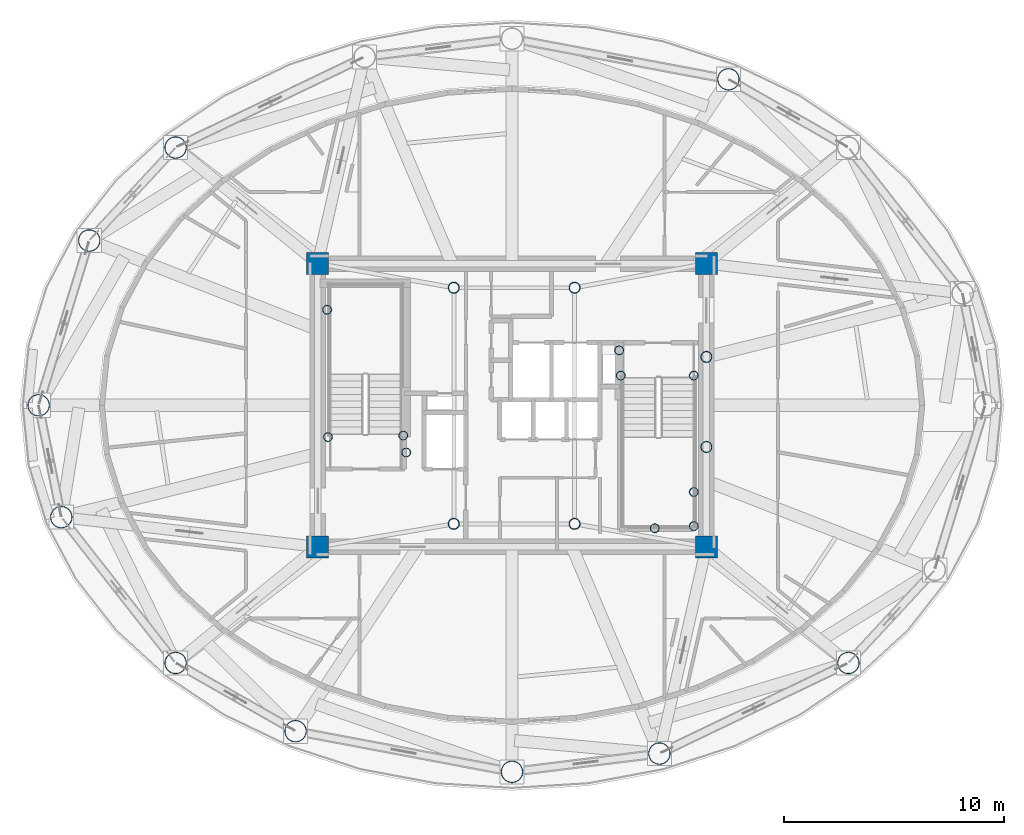
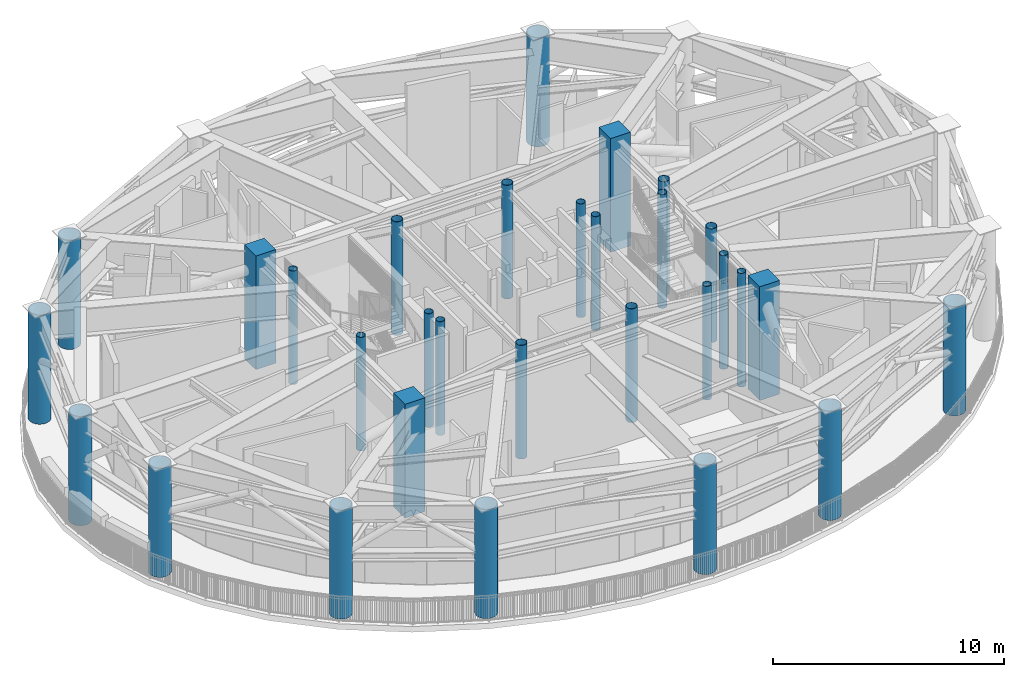
# One storey, part 1 of 17: 30 columns.
"""IFC4 building model written with IfcOpenShell, lengths in metres."""

from ifc_helpers import new_model, si_unit, direction, frame, origin, origin_2d, place, context, subcontext, project, spatial, rectangle, hollow_circle, extrude, material, material_profile, profile_set, type_object, element, save


model = new_model("IFC4")

# Units and contexts
model_context = context("Model", 3, precision=1e-05, world=origin(), true_north=direction((0.0, 1.0)))
body_context = subcontext(model_context, "Body", "Model", "MODEL_VIEW")
ifc_project = project(units=[si_unit("LENGTHUNIT", "METRE"), si_unit("AREAUNIT", "SQUARE_METRE"), si_unit("VOLUMEUNIT", "CUBIC_METRE"), si_unit("PLANEANGLEUNIT", "RADIAN"), si_unit("MASSUNIT", "GRAM", prefix="KILO")], contexts=[model_context])

# Site, building, storey
site_placement = place(None, origin())
site = spatial("IfcSite", under=ifc_project, at=site_placement, CompositionType="ELEMENT")
building_placement = place(site_placement, origin())
building = spatial("IfcBuilding", under=site, at=building_placement, Name="Linh Dai School and Residence Tower", CompositionType="ELEMENT")
storey_placement = place(building_placement, frame((0.0, 0.0, 318.0)))
storey = spatial("IfcBuildingStorey", under=building, at=storey_placement, Name="L79", CompositionType="ELEMENT", Elevation=318.0)

# Columns
ifc_material_1 = material(Name="Concrete B45 (C35/45)", Category="concrete")
ifc_material_profile_1 = material_profile(ifc_material_1, rectangle(XDim=1.0, YDim=1.0, at=origin_2d()), Name="RC 1000x1000")
ifc_profile_set_1 = profile_set([ifc_material_profile_1], Name="Concrete B45 (C35/45)")
column_type_1 = type_object("IfcColumnType", Name="COL-CC3", PredefinedType="COLUMN", material=ifc_profile_set_1)
for number, where, z_axis, x_axis, name in (
    (1, (27.14990234375, 20.550048828125, 0.0), (0.0, 0.0, 1.0), (1.0, 0.0, 0.0), "L79 Core Corner Pier CC1"),
    (2, (44.85009765625, 20.550048828125, 0.0), (0.0, 0.0, 1.0), (1.0, 0.0, 0.0), "L79 Core Corner Pier CC2"),
    (3, (44.85009765625, 33.449951171875, 0.0), (0.0, 0.0, 1.0), (1.0, 0.0, 0.0), "L79 Core Corner Pier CC3"),
    (4, (27.14990234375, 33.449951171875, 0.0), (0.0, 0.0, 1.0), (1.0, 0.0, 0.0), "L79 Core Corner Pier CC4"),
):
    element("IfcColumn", number, at=place(storey_placement, frame(where, z_axis=z_axis, x_axis=x_axis)), inside=storey, type_object=column_type_1, Name=name, PredefinedType="COLUMN", context=body_context, shape_type="SweptSolid", body=[
        extrude(rectangle(XDim=1.0, YDim=1.0, at=origin_2d()), origin(), (0.0, 0.0, 1.0), 6.0),
    ])
ifc_material_2 = material(Name="Structural Steel S355JR", Category="steel")
ifc_material_profile_2 = material_profile(ifc_material_2, hollow_circle(Radius=0.203125, WallThickness=0.01611328125, at=origin_2d()), Name="CHS 406.4x16")
ifc_profile_set_2 = profile_set([ifc_material_profile_2], Name="Structural Steel S355JR")
column_type_2 = type_object("IfcColumnType", Name="COL-EC", PredefinedType="COLUMN", material=ifc_profile_set_2)
for number, where, z_axis, x_axis, name in (
    (5, (27.580078125, 31.35009765625, 0.0), (0.0, 0.0, 1.0), (1.0, 0.0, 0.0), "L79 Stair Shaft Landing Support Pier ST1NW"),
    (6, (31.050048828125, 25.6201171875, 0.0), (0.0, 0.0, 1.0), (1.0, 0.0, 0.0), "L79 Stair Shaft Landing Support Pier ST1SE"),
    (7, (31.179931640625, 24.85009765625, 0.0), (0.0, 0.0, 1.0), (1.0, 0.0, 0.0), "L79 Stair Shaft Landing Support Pier ST1SM"),
    (8, (27.6201171875, 25.550048828125, 0.0), (0.0, 0.0, 1.0), (1.0, 0.0, 0.0), "L79 Stair Shaft Landing Support Pier ST1SW"),
    (9, (44.280029296875, 21.5, 0.0), (0.0, 0.0, 1.0), (1.0, 0.0, 0.0), "L79 Stair Shaft Landing Support Pier ST2SE"),
    (10, (44.280029296875, 23.050048828125, 0.0), (0.0, 0.0, 1.0), (1.0, 0.0, 0.0), "L79 Stair Shaft Landing Support Pier ST2NE"),
    (11, (42.5, 21.39990234375, 0.0), (0.0, 0.0, 1.0), (1.0, 0.0, 0.0), "L79 Stair Shaft Landing Support Pier ST2MS"),
    (12, (40.949951171875, 28.35009765625, 0.0), (0.0, 0.0, 1.0), (1.0, 0.0, 0.0), "L79 Stair Shaft Landing Support Pier ST2N1"),
    (13, (44.280029296875, 28.35009765625, 0.0), (0.0, 0.0, 1.0), (1.0, 0.0, 0.0), "L79 Stair Shaft Landing Support Pier ST2N2"),
    (14, (40.8798828125, 29.5, 0.0), (0.0, 0.0, 1.0), (1.0, 0.0, 0.0), "L79 Stair Shaft Landing Support Pier ST2N3"),
):
    element("IfcColumn", number, at=place(storey_placement, frame(where, z_axis=z_axis, x_axis=x_axis)), inside=storey, type_object=column_type_2, Name=name, PredefinedType="COLUMN", context=body_context, shape_type="SweptSolid", body=[
        extrude(hollow_circle(Radius=0.203125, WallThickness=0.01611328125, at=origin_2d()), origin(), (0.0, 0.0, 1.0), 6.0),
    ])
ifc_material_profile_3 = material_profile(ifc_material_2, hollow_circle(Radius=0.5, WallThickness=0.031982421875, at=origin_2d()), Name="CHS 1000x32")
ifc_profile_set_3 = profile_set([ifc_material_profile_3], Name="Structural Steel S355JR")
column_type_3 = type_object("IfcColumnType", Name="COL-MC6", PredefinedType="COLUMN", material=ifc_profile_set_3)
for number, where, z_axis, x_axis, name in (
    (15, (45.8544921875, 41.8388671875, 0.0), (0.0, 0.0, 1.0), (1.0, 0.0, 0.0), "L79 Perimeter CFT Mega-Column MC04"),
    (16, (20.684814453125, 38.7333984375, 0.0), (0.0, 0.0, 1.0), (1.0, 0.0, 0.0), "L79 Perimeter CFT Mega-Column MC07"),
    (17, (16.75390625, 34.49951171875, 0.0), (0.0, 0.0, 1.0), (1.0, 0.0, 0.0), "L79 Perimeter CFT Mega-Column MC08"),
    (18, (14.449951171875, 27.0, 0.0), (0.0, 0.0, 1.0), (1.0, 0.0, 0.0), "L79 Perimeter CFT Mega-Column MC09"),
    (19, (15.4814453125, 21.905517578125, 0.0), (0.0, 0.0, 1.0), (1.0, 0.0, 0.0), "L79 Perimeter CFT Mega-Column MC10"),
    (20, (20.684814453125, 15.2666015625, 0.0), (0.0, 0.0, 1.0), (1.0, 0.0, 0.0), "L79 Perimeter CFT Mega-Column MC11"),
    (21, (26.1455078125, 12.1611328125, 0.0), (0.0, 0.0, 1.0), (1.0, 0.0, 0.0), "L79 Perimeter CFT Mega-Column MC12"),
    (22, (36.0, 10.31005859375, 0.0), (0.0, 0.0, 1.0), (1.0, 0.0, 0.0), "L79 Perimeter CFT Mega-Column MC13"),
    (23, (42.71240234375, 11.142333984375, 0.0), (0.0, 0.0, 1.0), (1.0, 0.0, 0.0), "L79 Perimeter CFT Mega-Column MC14"),
    (24, (51.315185546875, 15.2666015625, 0.0), (0.0, 0.0, 1.0), (1.0, 0.0, 0.0), "L79 Perimeter CFT Mega-Column MC15"),
):
    element("IfcColumn", number, at=place(storey_placement, frame(where, z_axis=z_axis, x_axis=x_axis)), inside=storey, type_object=column_type_3, Name=name, PredefinedType="COLUMN", context=body_context, shape_type="SweptSolid", body=[
        extrude(hollow_circle(Radius=0.5, WallThickness=0.031982421875, at=origin_2d()), origin(), (0.0, 0.0, 1.0), 5.75),
    ])
ifc_material_profile_4 = material_profile(ifc_material_2, hollow_circle(Radius=0.25390625, WallThickness=0.02001953125, at=origin_2d()), Name="CHS 508x20")
ifc_profile_set_4 = profile_set([ifc_material_profile_4], Name="Structural Steel S355JR")
column_type_4 = type_object("IfcColumnType", Name="COL-MCP", PredefinedType="COLUMN", material=ifc_profile_set_4)
for number, where, z_axis, x_axis, name in (
    (25, (33.35009765625, 21.60009765625, 0.0), (0.0, 0.0, 1.0), (1.0, 0.0, 0.0), "L79 Core Mast Support Pier MCP1"),
    (26, (38.85009765625, 21.60009765625, 0.0), (0.0, 0.0, 1.0), (1.0, 0.0, 0.0), "L79 Core Mast Support Pier MCP2"),
    (27, (38.85009765625, 32.35009765625, 0.0), (0.0, 0.0, 1.0), (1.0, 0.0, 0.0), "L79 Core Mast Support Pier MCP3"),
    (28, (33.35009765625, 32.35009765625, 0.0), (0.0, 0.0, 1.0), (1.0, 0.0, 0.0), "L79 Core Mast Support Pier MCP4"),
    (29, (44.85009765625, 25.10009765625, 0.0), (0.0, 0.0, 1.0), (1.0, 0.0, 0.0), "L79 Sky-Lounge Core Anchor Pier S"),
    (30, (44.85009765625, 29.199951171875, 0.0), (0.0, 0.0, 1.0), (1.0, 0.0, 0.0), "L79 Sky-Lounge Core Anchor Pier N"),
):
    element("IfcColumn", number, at=place(storey_placement, frame(where, z_axis=z_axis, x_axis=x_axis)), inside=storey, type_object=column_type_4, Name=name, PredefinedType="COLUMN", context=body_context, shape_type="SweptSolid", body=[
        extrude(hollow_circle(Radius=0.25390625, WallThickness=0.02001953125, at=origin_2d()), origin(), (0.0, 0.0, 1.0), 6.0),
    ])

save(model, "model.ifc")
